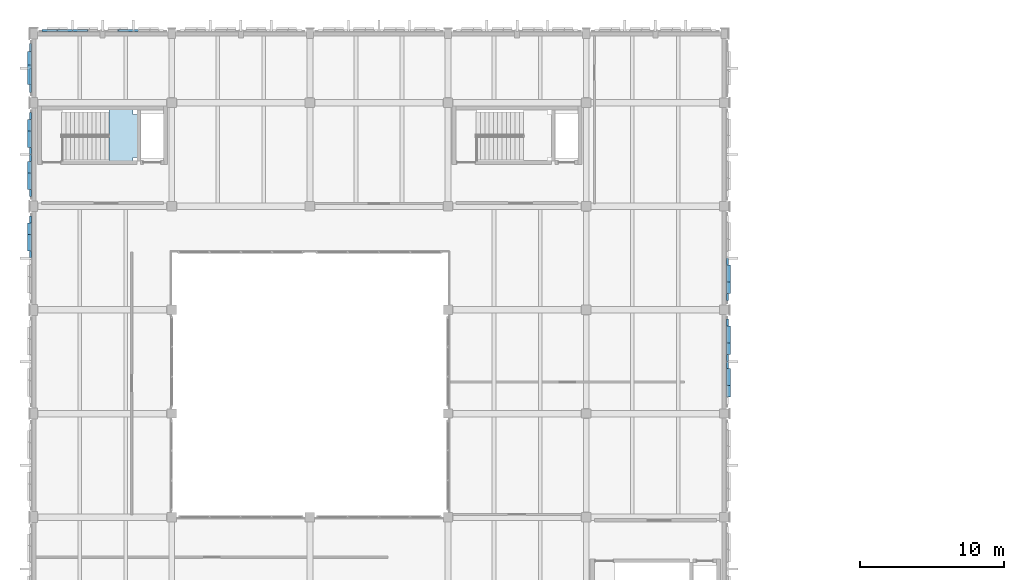
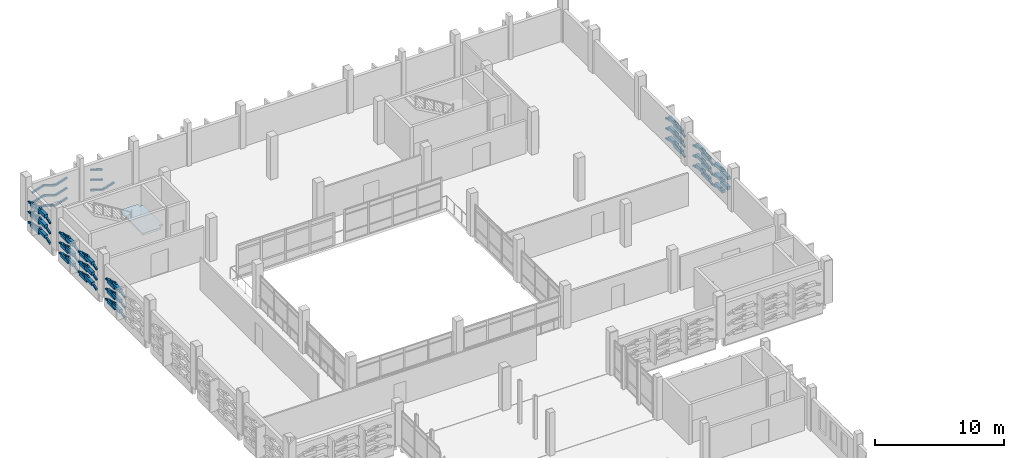
# One storey, part 42 of 72: 93 plates, 1 slab, 1 element without a shape of its own.
"""IFC4 building model written with IfcOpenShell, lengths in metres."""

from ifc_helpers import new_model, si_unit, direction, frame, origin, origin_2d, place, context, subcontext, project, spatial, polyline, rectangle, hollow_rectangle, outline, extrude, material, layer, layer_set, material_profile, profile_set, type_object, element, aggregate, save


model = new_model("IFC4")

# Units and contexts
model_context = context("Model", 3, precision=1e-05, world=origin(), true_north=direction((0.0, 1.0)))
body_context = subcontext(model_context, "Body", "Model", "MODEL_VIEW")
ifc_project = project(units=[si_unit("LENGTHUNIT", "METRE"), si_unit("AREAUNIT", "SQUARE_METRE"), si_unit("VOLUMEUNIT", "CUBIC_METRE"), si_unit("PLANEANGLEUNIT", "RADIAN"), si_unit("MASSUNIT", "GRAM", prefix="KILO")], contexts=[model_context])

# Site, building, storey
site_placement = place(None, origin())
site = spatial("IfcSite", under=ifc_project, at=site_placement, CompositionType="ELEMENT")
building_placement = place(site_placement, origin())
building = spatial("IfcBuilding", under=site, at=building_placement, Name="Asteropetra Specialist Clinic", CompositionType="ELEMENT")
storey_placement = place(building_placement, frame((0.0, 0.0, 12.580078125)))
storey = spatial("IfcBuildingStorey", under=building, at=storey_placement, Name="L03", CompositionType="ELEMENT", Elevation=12.580078125)

# Plates
ifc_material_1 = material(Name="Chevron emerald aluminium 6063-T6", Category="aluminium")
ifc_material_profile = material_profile(ifc_material_1, hollow_rectangle(XDim=0.159912109375, YDim=0.159912109375, WallThickness=0.008056640625, InnerFilletRadius=0.008056640625, OuterFilletRadius=0.01611328125, at=origin_2d()), Name="SHS 160x160x8.0")
ifc_profile_set = profile_set([ifc_material_profile], Name="Chevron emerald aluminium 6063-T6")
plate_type_1 = type_object("IfcPlateType", Name="CHV-RIB-160", PredefinedType="SHEET", material=ifc_profile_set)
plate_1_placement = place(storey_placement, frame((7.9755859375, 110.6220703125, 0.392333984375), z_axis=(-0.952000497205, 0.0, -0.306096477147), x_axis=(0.0, -1.0, 0.0)))
element("IfcPlate", 1, at=plate_1_placement, inside=storey, type_object=plate_type_1, Name="Chevron Facade Screen Fin CVR-1210", PredefinedType="SHEET", context=body_context, shape_type="SweptSolid", body=[
    extrude(hollow_rectangle(XDim=0.159912109375, YDim=0.159912109375, WallThickness=0.008056640625, InnerFilletRadius=0.008056640625, OuterFilletRadius=0.01611328125, at=origin_2d()), origin(), (0.0, 0.0, 1.0), 1.08642578125),
])
plate_2_placement = place(storey_placement, frame((6.9013671875, 110.6220703125, 0.059814453125), z_axis=(-0.952021547516, 0.0, 0.306031000169), x_axis=(0.0, -1.0, 0.0)))
element("IfcPlate", 2, at=plate_2_placement, inside=storey, type_object=plate_type_1, Name="Chevron Facade Screen Fin CVR-1215", PredefinedType="SHEET", context=body_context, shape_type="SweptSolid", body=[
    extrude(hollow_rectangle(XDim=0.159912109375, YDim=0.159912109375, WallThickness=0.008056640625, InnerFilletRadius=0.008056640625, OuterFilletRadius=0.01611328125, at=origin_2d()), origin(), (0.0, 0.0, 1.0), 1.086669921875),
])
for number, where, z_axis, x_axis, name in (
    (3, (6.9013671875, 110.6220703125, 1.02001953125), (-0.952086993927, 0.0, 0.30582733036), (0.0, -1.0, 0.0), "Chevron Facade Screen Fin CVR-1216"),
    (4, (6.9013671875, 110.6220703125, 1.97998046875), (-0.952086993927, 0.0, 0.30582733036), (0.0, -1.0, 0.0), "Chevron Facade Screen Fin CVR-1217"),
):
    element("IfcPlate", number, at=place(storey_placement, frame(where, z_axis=z_axis, x_axis=x_axis)), inside=storey, type_object=plate_type_1, Name=name, PredefinedType="SHEET", context=body_context, shape_type="SweptSolid", body=[
        extrude(hollow_rectangle(XDim=0.159912109375, YDim=0.159912109375, WallThickness=0.008056640625, InnerFilletRadius=0.008056640625, OuterFilletRadius=0.01611328125, at=origin_2d()), origin(), (0.0, 0.0, 1.0), 1.08642578125),
    ])
plate_3_placement = place(storey_placement, frame((3.758056640625, 110.6220703125, 0.392333984375), z_axis=(-0.952021547516, 0.0, -0.306031000169), x_axis=(0.0, -1.0, 0.0)))
element("IfcPlate", 5, at=plate_3_placement, inside=storey, type_object=plate_type_1, Name="Chevron Facade Screen Fin CVR-1218", PredefinedType="SHEET", context=body_context, shape_type="SweptSolid", body=[
    extrude(hollow_rectangle(XDim=0.159912109375, YDim=0.159912109375, WallThickness=0.008056640625, InnerFilletRadius=0.008056640625, OuterFilletRadius=0.01611328125, at=origin_2d()), origin(), (0.0, 0.0, 1.0), 1.086669921875),
])
for number, where, z_axis, x_axis, name in (
    (6, (3.758056640625, 110.6220703125, 1.352294921875), (-0.952086993927, 0.0, -0.30582733036), (0.0, -1.0, 0.0), "Chevron Facade Screen Fin CVR-1219"),
    (7, (3.758056640625, 110.6220703125, 2.312255859375), (-0.952086993927, 0.0, -0.30582733036), (0.0, -1.0, 0.0), "Chevron Facade Screen Fin CVR-1220"),
):
    element("IfcPlate", number, at=place(storey_placement, frame(where, z_axis=z_axis, x_axis=x_axis)), inside=storey, type_object=plate_type_1, Name=name, PredefinedType="SHEET", context=body_context, shape_type="SweptSolid", body=[
        extrude(hollow_rectangle(XDim=0.159912109375, YDim=0.159912109375, WallThickness=0.008056640625, InnerFilletRadius=0.008056640625, OuterFilletRadius=0.01611328125, at=origin_2d()), origin(), (0.0, 0.0, 1.0), 1.08642578125),
    ])
for number, where, z_axis, x_axis, name in (
    (8, (2.683837890625, 110.6220703125, 0.059814453125), (-0.952021547516, 0.0, 0.306031000169), (0.0, -1.0, 0.0), "Chevron Facade Screen Fin CVR-1221"),
    (9, (1.6494140625, 110.6220703125, 0.392333984375), (-0.952021547516, 0.0, -0.306031000169), (0.0, -1.0, 0.0), "Chevron Facade Screen Fin CVR-1222"),
):
    element("IfcPlate", number, at=place(storey_placement, frame(where, z_axis=z_axis, x_axis=x_axis)), inside=storey, type_object=plate_type_1, Name=name, PredefinedType="SHEET", context=body_context, shape_type="SweptSolid", body=[
        extrude(hollow_rectangle(XDim=0.159912109375, YDim=0.159912109375, WallThickness=0.008056640625, InnerFilletRadius=0.008056640625, OuterFilletRadius=0.01611328125, at=origin_2d()), origin(), (0.0, 0.0, 1.0), 1.086669921875),
    ])
for number, where, z_axis, x_axis, name in (
    (10, (2.683837890625, 110.6220703125, 1.02001953125), (-0.952086993927, 0.0, 0.30582733036), (0.0, -1.0, 0.0), "Chevron Facade Screen Fin CVR-1223"),
    (11, (1.6494140625, 110.6220703125, 1.352294921875), (-0.952086993927, 0.0, -0.30582733036), (0.0, -1.0, 0.0), "Chevron Facade Screen Fin CVR-1224"),
    (12, (2.683837890625, 110.6220703125, 1.97998046875), (-0.952086993927, 0.0, 0.30582733036), (0.0, -1.0, 0.0), "Chevron Facade Screen Fin CVR-1225"),
    (13, (1.6494140625, 110.6220703125, 2.312255859375), (-0.952086993927, 0.0, -0.30582733036), (0.0, -1.0, 0.0), "Chevron Facade Screen Fin CVR-1226"),
):
    element("IfcPlate", number, at=place(storey_placement, frame(where, z_axis=z_axis, x_axis=x_axis)), inside=storey, type_object=plate_type_1, Name=name, PredefinedType="SHEET", context=body_context, shape_type="SweptSolid", body=[
        extrude(hollow_rectangle(XDim=0.159912109375, YDim=0.159912109375, WallThickness=0.008056640625, InnerFilletRadius=0.008056640625, OuterFilletRadius=0.01611328125, at=origin_2d()), origin(), (0.0, 0.0, 1.0), 1.08642578125),
    ])
plate_4_placement = place(storey_placement, frame((48.221923828125, 86.12255859375, 0.52587890625), z_axis=(0.0, 0.952488962874, -0.304573103874), x_axis=(-1.0, 0.0, 0.0)))
element("IfcPlate", 14, at=plate_4_placement, inside=storey, type_object=plate_type_1, Name="Chevron Facade Screen Fin CVR-1402", PredefinedType="SHEET", context=body_context, shape_type="SweptSolid", body=[
    extrude(hollow_rectangle(XDim=0.159912109375, YDim=0.159912109375, WallThickness=0.008056640625, InnerFilletRadius=0.008056640625, OuterFilletRadius=0.01611328125, at=origin_2d()), origin(), (0.0, 0.0, 1.0), 1.5302734375),
])
for number, where, z_axis, x_axis, name in (
    (15, (48.221923828125, 86.12255859375, 1.48583984375), (0.0, 0.952535238788, -0.304428347673), (-1.0, 0.0, 0.0), "Chevron Facade Screen Fin CVR-1404"),
    (16, (48.221923828125, 86.12255859375, 2.44580078125), (0.0, 0.952535238788, -0.304428347673), (-1.0, 0.0, 0.0), "Chevron Facade Screen Fin CVR-1406"),
    (17, (48.221923828125, 87.6201171875, 0.059814453125), (0.0, 0.952474159261, 0.304619395213), (-1.0, 0.0, 0.0), "Chevron Facade Screen Fin CVR-1407"),
):
    element("IfcPlate", number, at=place(storey_placement, frame(where, z_axis=z_axis, x_axis=x_axis)), inside=storey, type_object=plate_type_1, Name=name, PredefinedType="SHEET", context=body_context, shape_type="SweptSolid", body=[
        extrude(hollow_rectangle(XDim=0.159912109375, YDim=0.159912109375, WallThickness=0.008056640625, InnerFilletRadius=0.008056640625, OuterFilletRadius=0.01611328125, at=origin_2d()), origin(), (0.0, 0.0, 1.0), 1.530029296875),
    ])
plate_5_placement = place(storey_placement, frame((48.221923828125, 89.077392578125, 0.52587890625), z_axis=(0.0, 0.952488962874, -0.304573103874), x_axis=(-1.0, 0.0, 0.0)))
element("IfcPlate", 18, at=plate_5_placement, inside=storey, type_object=plate_type_1, Name="Chevron Facade Screen Fin CVR-1408", PredefinedType="SHEET", context=body_context, shape_type="SweptSolid", body=[
    extrude(hollow_rectangle(XDim=0.159912109375, YDim=0.159912109375, WallThickness=0.008056640625, InnerFilletRadius=0.008056640625, OuterFilletRadius=0.01611328125, at=origin_2d()), origin(), (0.0, 0.0, 1.0), 1.5302734375),
])
for number, where, z_axis, x_axis, name in (
    (19, (48.221923828125, 87.6201171875, 1.02001953125), (0.0, 0.952520448524, 0.304474621509), (-1.0, 0.0, 0.0), "Chevron Facade Screen Fin CVR-1409"),
    (20, (48.221923828125, 89.077392578125, 1.48583984375), (0.0, 0.952535238788, -0.304428347673), (-1.0, 0.0, 0.0), "Chevron Facade Screen Fin CVR-1410"),
    (21, (48.221923828125, 87.6201171875, 1.97998046875), (0.0, 0.952520448524, 0.304474621509), (-1.0, 0.0, 0.0), "Chevron Facade Screen Fin CVR-1411"),
    (22, (48.221923828125, 89.077392578125, 2.44580078125), (0.0, 0.952535238788, -0.304428347673), (-1.0, 0.0, 0.0), "Chevron Facade Screen Fin CVR-1412"),
):
    element("IfcPlate", number, at=place(storey_placement, frame(where, z_axis=z_axis, x_axis=x_axis)), inside=storey, type_object=plate_type_1, Name=name, PredefinedType="SHEET", context=body_context, shape_type="SweptSolid", body=[
        extrude(hollow_rectangle(XDim=0.159912109375, YDim=0.159912109375, WallThickness=0.008056640625, InnerFilletRadius=0.008056640625, OuterFilletRadius=0.01611328125, at=origin_2d()), origin(), (0.0, 0.0, 1.0), 1.530029296875),
    ])
plate_6_placement = place(storey_placement, frame((-0.221923828125, 97.68505859375, 0.059814453125), z_axis=(0.0, -0.952507040007, 0.304516565619), x_axis=(1.0, 0.0, 0.0)))
element("IfcPlate", 23, at=plate_6_placement, inside=storey, type_object=plate_type_1, Name="Chevron Facade Screen Fin CVR-1413", PredefinedType="SHEET", context=body_context, shape_type="SweptSolid", body=[
    extrude(hollow_rectangle(XDim=0.159912109375, YDim=0.159912109375, WallThickness=0.008056640625, InnerFilletRadius=0.008056640625, OuterFilletRadius=0.01611328125, at=origin_2d()), origin(), (0.0, 0.0, 1.0), 1.504150390625),
])
plate_7_placement = place(storey_placement, frame((-0.221923828125, 96.25244140625, 0.517822265625), z_axis=(0.0, -0.952491984317, -0.304563654777), x_axis=(1.0, 0.0, 0.0)))
element("IfcPlate", 24, at=plate_7_placement, inside=storey, type_object=plate_type_1, Name="Chevron Facade Screen Fin CVR-1414", PredefinedType="SHEET", context=body_context, shape_type="SweptSolid", body=[
    extrude(hollow_rectangle(XDim=0.159912109375, YDim=0.159912109375, WallThickness=0.008056640625, InnerFilletRadius=0.008056640625, OuterFilletRadius=0.01611328125, at=origin_2d()), origin(), (0.0, 0.0, 1.0), 1.50390625),
])
plate_8_placement = place(storey_placement, frame((-0.221923828125, 97.68505859375, 1.02001953125), z_axis=(0.0, -0.952507040007, 0.304516565619), x_axis=(1.0, 0.0, 0.0)))
element("IfcPlate", 25, at=plate_8_placement, inside=storey, type_object=plate_type_1, Name="Chevron Facade Screen Fin CVR-1415", PredefinedType="SHEET", context=body_context, shape_type="SweptSolid", body=[
    extrude(hollow_rectangle(XDim=0.159912109375, YDim=0.159912109375, WallThickness=0.008056640625, InnerFilletRadius=0.008056640625, OuterFilletRadius=0.01611328125, at=origin_2d()), origin(), (0.0, 0.0, 1.0), 1.504150390625),
])
plate_9_placement = place(storey_placement, frame((-0.221923828125, 96.25244140625, 1.47802734375), z_axis=(0.0, -0.952491984317, -0.304563654777), x_axis=(1.0, 0.0, 0.0)))
element("IfcPlate", 26, at=plate_9_placement, inside=storey, type_object=plate_type_1, Name="Chevron Facade Screen Fin CVR-1416", PredefinedType="SHEET", context=body_context, shape_type="SweptSolid", body=[
    extrude(hollow_rectangle(XDim=0.159912109375, YDim=0.159912109375, WallThickness=0.008056640625, InnerFilletRadius=0.008056640625, OuterFilletRadius=0.01611328125, at=origin_2d()), origin(), (0.0, 0.0, 1.0), 1.50390625),
])
plate_10_placement = place(storey_placement, frame((-0.221923828125, 97.68505859375, 1.97998046875), z_axis=(0.0, -0.952507040007, 0.304516565619), x_axis=(1.0, 0.0, 0.0)))
element("IfcPlate", 27, at=plate_10_placement, inside=storey, type_object=plate_type_1, Name="Chevron Facade Screen Fin CVR-1417", PredefinedType="SHEET", context=body_context, shape_type="SweptSolid", body=[
    extrude(hollow_rectangle(XDim=0.159912109375, YDim=0.159912109375, WallThickness=0.008056640625, InnerFilletRadius=0.008056640625, OuterFilletRadius=0.01611328125, at=origin_2d()), origin(), (0.0, 0.0, 1.0), 1.504150390625),
])
plate_11_placement = place(storey_placement, frame((-0.221923828125, 96.25244140625, 2.43798828125), z_axis=(0.0, -0.952491984317, -0.304563654777), x_axis=(1.0, 0.0, 0.0)))
element("IfcPlate", 28, at=plate_11_placement, inside=storey, type_object=plate_type_1, Name="Chevron Facade Screen Fin CVR-1418", PredefinedType="SHEET", context=body_context, shape_type="SweptSolid", body=[
    extrude(hollow_rectangle(XDim=0.159912109375, YDim=0.159912109375, WallThickness=0.008056640625, InnerFilletRadius=0.008056640625, OuterFilletRadius=0.01611328125, at=origin_2d()), origin(), (0.0, 0.0, 1.0), 1.50390625),
])
for number, where, z_axis, x_axis, name in (
    (29, (48.221923828125, 91.864990234375, 0.059814453125), (0.0, 0.952488962874, 0.304573103874), (-1.0, 0.0, 0.0), "Chevron Facade Screen Fin CVR-1425"),
    (30, (48.221923828125, 93.322509765625, 0.52587890625), (0.0, 0.952488962874, -0.304573103874), (-1.0, 0.0, 0.0), "Chevron Facade Screen Fin CVR-1426"),
):
    element("IfcPlate", number, at=place(storey_placement, frame(where, z_axis=z_axis, x_axis=x_axis)), inside=storey, type_object=plate_type_1, Name=name, PredefinedType="SHEET", context=body_context, shape_type="SweptSolid", body=[
        extrude(hollow_rectangle(XDim=0.159912109375, YDim=0.159912109375, WallThickness=0.008056640625, InnerFilletRadius=0.008056640625, OuterFilletRadius=0.01611328125, at=origin_2d()), origin(), (0.0, 0.0, 1.0), 1.5302734375),
    ])
for number, where, z_axis, x_axis, name in (
    (31, (48.221923828125, 91.864990234375, 1.02001953125), (0.0, 0.952535238788, 0.304428347673), (-1.0, 0.0, 0.0), "Chevron Facade Screen Fin CVR-1427"),
    (32, (48.221923828125, 93.322509765625, 1.48583984375), (0.0, 0.952535238788, -0.304428347673), (-1.0, 0.0, 0.0), "Chevron Facade Screen Fin CVR-1428"),
    (33, (48.221923828125, 91.864990234375, 1.97998046875), (0.0, 0.952535238788, 0.304428347673), (-1.0, 0.0, 0.0), "Chevron Facade Screen Fin CVR-1429"),
    (34, (48.221923828125, 93.322509765625, 2.44580078125), (0.0, 0.952535238788, -0.304428347673), (-1.0, 0.0, 0.0), "Chevron Facade Screen Fin CVR-1430"),
):
    element("IfcPlate", number, at=place(storey_placement, frame(where, z_axis=z_axis, x_axis=x_axis)), inside=storey, type_object=plate_type_1, Name=name, PredefinedType="SHEET", context=body_context, shape_type="SweptSolid", body=[
        extrude(hollow_rectangle(XDim=0.159912109375, YDim=0.159912109375, WallThickness=0.008056640625, InnerFilletRadius=0.008056640625, OuterFilletRadius=0.01611328125, at=origin_2d()), origin(), (0.0, 0.0, 1.0), 1.530029296875),
    ])
plate_12_placement = place(storey_placement, frame((-0.221923828125, 104.885009765625, 0.059814453125), z_axis=(0.0, -0.952507040007, 0.304516565619), x_axis=(1.0, 0.0, 0.0)))
element("IfcPlate", 35, at=plate_12_placement, inside=storey, type_object=plate_type_1, Name="Chevron Facade Screen Fin CVR-1437", PredefinedType="SHEET", context=body_context, shape_type="SweptSolid", body=[
    extrude(hollow_rectangle(XDim=0.159912109375, YDim=0.159912109375, WallThickness=0.008056640625, InnerFilletRadius=0.008056640625, OuterFilletRadius=0.01611328125, at=origin_2d()), origin(), (0.0, 0.0, 1.0), 1.504150390625),
])
plate_13_placement = place(storey_placement, frame((-0.221923828125, 103.452392578125, 0.517822265625), z_axis=(0.0, -0.952491984317, -0.304563654777), x_axis=(1.0, 0.0, 0.0)))
element("IfcPlate", 36, at=plate_13_placement, inside=storey, type_object=plate_type_1, Name="Chevron Facade Screen Fin CVR-1438", PredefinedType="SHEET", context=body_context, shape_type="SweptSolid", body=[
    extrude(hollow_rectangle(XDim=0.159912109375, YDim=0.159912109375, WallThickness=0.008056640625, InnerFilletRadius=0.008056640625, OuterFilletRadius=0.01611328125, at=origin_2d()), origin(), (0.0, 0.0, 1.0), 1.50390625),
])
plate_14_placement = place(storey_placement, frame((-0.221923828125, 104.885009765625, 1.02001953125), z_axis=(0.0, -0.952507040007, 0.304516565619), x_axis=(1.0, 0.0, 0.0)))
element("IfcPlate", 37, at=plate_14_placement, inside=storey, type_object=plate_type_1, Name="Chevron Facade Screen Fin CVR-1439", PredefinedType="SHEET", context=body_context, shape_type="SweptSolid", body=[
    extrude(hollow_rectangle(XDim=0.159912109375, YDim=0.159912109375, WallThickness=0.008056640625, InnerFilletRadius=0.008056640625, OuterFilletRadius=0.01611328125, at=origin_2d()), origin(), (0.0, 0.0, 1.0), 1.504150390625),
])
plate_15_placement = place(storey_placement, frame((-0.221923828125, 103.452392578125, 1.47802734375), z_axis=(0.0, -0.952491984317, -0.304563654777), x_axis=(1.0, 0.0, 0.0)))
element("IfcPlate", 38, at=plate_15_placement, inside=storey, type_object=plate_type_1, Name="Chevron Facade Screen Fin CVR-1440", PredefinedType="SHEET", context=body_context, shape_type="SweptSolid", body=[
    extrude(hollow_rectangle(XDim=0.159912109375, YDim=0.159912109375, WallThickness=0.008056640625, InnerFilletRadius=0.008056640625, OuterFilletRadius=0.01611328125, at=origin_2d()), origin(), (0.0, 0.0, 1.0), 1.50390625),
])
plate_16_placement = place(storey_placement, frame((-0.221923828125, 104.885009765625, 1.97998046875), z_axis=(0.0, -0.952507040007, 0.304516565619), x_axis=(1.0, 0.0, 0.0)))
element("IfcPlate", 39, at=plate_16_placement, inside=storey, type_object=plate_type_1, Name="Chevron Facade Screen Fin CVR-1441", PredefinedType="SHEET", context=body_context, shape_type="SweptSolid", body=[
    extrude(hollow_rectangle(XDim=0.159912109375, YDim=0.159912109375, WallThickness=0.008056640625, InnerFilletRadius=0.008056640625, OuterFilletRadius=0.01611328125, at=origin_2d()), origin(), (0.0, 0.0, 1.0), 1.504150390625),
])
for number, where, z_axis, x_axis, name in (
    (40, (-0.221923828125, 103.452392578125, 2.43798828125), (0.0, -0.952491984317, -0.304563654777), (1.0, 0.0, 0.0), "Chevron Facade Screen Fin CVR-1442"),
    (41, (-0.221923828125, 101.97998046875, 0.059814453125), (0.0, -0.952491984317, 0.304563654777), (1.0, 0.0, 0.0), "Chevron Facade Screen Fin CVR-1443"),
):
    element("IfcPlate", number, at=place(storey_placement, frame(where, z_axis=z_axis, x_axis=x_axis)), inside=storey, type_object=plate_type_1, Name=name, PredefinedType="SHEET", context=body_context, shape_type="SweptSolid", body=[
        extrude(hollow_rectangle(XDim=0.159912109375, YDim=0.159912109375, WallThickness=0.008056640625, InnerFilletRadius=0.008056640625, OuterFilletRadius=0.01611328125, at=origin_2d()), origin(), (0.0, 0.0, 1.0), 1.50390625),
    ])
plate_17_placement = place(storey_placement, frame((-0.221923828125, 100.547607421875, 0.517822265625), z_axis=(0.0, -0.952507040007, -0.304516565619), x_axis=(1.0, 0.0, 0.0)))
element("IfcPlate", 42, at=plate_17_placement, inside=storey, type_object=plate_type_1, Name="Chevron Facade Screen Fin CVR-1444", PredefinedType="SHEET", context=body_context, shape_type="SweptSolid", body=[
    extrude(hollow_rectangle(XDim=0.159912109375, YDim=0.159912109375, WallThickness=0.008056640625, InnerFilletRadius=0.008056640625, OuterFilletRadius=0.01611328125, at=origin_2d()), origin(), (0.0, 0.0, 1.0), 1.504150390625),
])
plate_18_placement = place(storey_placement, frame((-0.221923828125, 101.97998046875, 1.02001953125), z_axis=(0.0, -0.952491984317, 0.304563654777), x_axis=(1.0, 0.0, 0.0)))
element("IfcPlate", 43, at=plate_18_placement, inside=storey, type_object=plate_type_1, Name="Chevron Facade Screen Fin CVR-1445", PredefinedType="SHEET", context=body_context, shape_type="SweptSolid", body=[
    extrude(hollow_rectangle(XDim=0.159912109375, YDim=0.159912109375, WallThickness=0.008056640625, InnerFilletRadius=0.008056640625, OuterFilletRadius=0.01611328125, at=origin_2d()), origin(), (0.0, 0.0, 1.0), 1.50390625),
])
plate_19_placement = place(storey_placement, frame((-0.221923828125, 100.547607421875, 1.47802734375), z_axis=(0.0, -0.952507040007, -0.304516565619), x_axis=(1.0, 0.0, 0.0)))
element("IfcPlate", 44, at=plate_19_placement, inside=storey, type_object=plate_type_1, Name="Chevron Facade Screen Fin CVR-1446", PredefinedType="SHEET", context=body_context, shape_type="SweptSolid", body=[
    extrude(hollow_rectangle(XDim=0.159912109375, YDim=0.159912109375, WallThickness=0.008056640625, InnerFilletRadius=0.008056640625, OuterFilletRadius=0.01611328125, at=origin_2d()), origin(), (0.0, 0.0, 1.0), 1.504150390625),
])
plate_20_placement = place(storey_placement, frame((-0.221923828125, 101.97998046875, 1.97998046875), z_axis=(0.0, -0.952491984317, 0.304563654777), x_axis=(1.0, 0.0, 0.0)))
element("IfcPlate", 45, at=plate_20_placement, inside=storey, type_object=plate_type_1, Name="Chevron Facade Screen Fin CVR-1447", PredefinedType="SHEET", context=body_context, shape_type="SweptSolid", body=[
    extrude(hollow_rectangle(XDim=0.159912109375, YDim=0.159912109375, WallThickness=0.008056640625, InnerFilletRadius=0.008056640625, OuterFilletRadius=0.01611328125, at=origin_2d()), origin(), (0.0, 0.0, 1.0), 1.50390625),
])
plate_21_placement = place(storey_placement, frame((-0.221923828125, 100.547607421875, 2.43798828125), z_axis=(0.0, -0.952507040007, -0.304516565619), x_axis=(1.0, 0.0, 0.0)))
element("IfcPlate", 46, at=plate_21_placement, inside=storey, type_object=plate_type_1, Name="Chevron Facade Screen Fin CVR-1448", PredefinedType="SHEET", context=body_context, shape_type="SweptSolid", body=[
    extrude(hollow_rectangle(XDim=0.159912109375, YDim=0.159912109375, WallThickness=0.008056640625, InnerFilletRadius=0.008056640625, OuterFilletRadius=0.01611328125, at=origin_2d()), origin(), (0.0, 0.0, 1.0), 1.504150390625),
])
for number, where, z_axis, x_axis, name in (
    (47, (-0.221923828125, 109.68505859375, 0.059814453125), (0.0, -0.952689829529, 0.303944219737), (1.0, 0.0, 0.0), "Chevron Facade Screen Fin CVR-1461"),
    (48, (-0.221923828125, 108.0, 0.597412109375), (0.0, -0.952689829529, -0.303944219737), (1.0, 0.0, 0.0), "Chevron Facade Screen Fin CVR-1462"),
    (49, (-0.221923828125, 109.68505859375, 1.02001953125), (0.0, -0.952689829529, 0.303944219737), (1.0, 0.0, 0.0), "Chevron Facade Screen Fin CVR-1463"),
    (50, (-0.221923828125, 108.0, 1.5576171875), (0.0, -0.952689829529, -0.303944219737), (1.0, 0.0, 0.0), "Chevron Facade Screen Fin CVR-1464"),
    (51, (-0.221923828125, 109.68505859375, 1.97998046875), (0.0, -0.952689829529, 0.303944219737), (1.0, 0.0, 0.0), "Chevron Facade Screen Fin CVR-1465"),
    (52, (-0.221923828125, 108.0, 2.517578125), (0.0, -0.952689829529, -0.303944219737), (1.0, 0.0, 0.0), "Chevron Facade Screen Fin CVR-1466"),
):
    element("IfcPlate", number, at=place(storey_placement, frame(where, z_axis=z_axis, x_axis=x_axis)), inside=storey, type_object=plate_type_1, Name=name, PredefinedType="SHEET", context=body_context, shape_type="SweptSolid", body=[
        extrude(hollow_rectangle(XDim=0.159912109375, YDim=0.159912109375, WallThickness=0.008056640625, InnerFilletRadius=0.008056640625, OuterFilletRadius=0.01611328125, at=origin_2d()), origin(), (0.0, 0.0, 1.0), 1.768798828125),
    ])
ifc_material_2 = material(Name="Aluminium 6063-T6", Category="aluminium")
ifc_layer_1 = layer(ifc_material_2, 0.139892578125)
ifc_layer_set_1 = layer_set([ifc_layer_1], Name="Aluminium 6063-T6")
plate_type_2 = type_object("IfcPlateType", Name="PLT-CHV-TILE", PredefinedType="SHEET", material=ifc_layer_set_1)
for number, where, z_axis, x_axis, name in (
    (53, (48.280029296875, 86.530517578125, 0.2265625), (0.0, 0.0, 1.0), (1.0, 0.0, 0.0), "Chevron Ceramic Panel CPT-1096"),
    (54, (48.280029296875, 85.71435546875, 1.009765625), (0.0, 0.0, 1.0), (1.0, 0.0, 0.0), "Chevron Ceramic Panel CPT-1097"),
    (55, (48.280029296875, 86.530517578125, 1.1865234375), (0.0, 0.0, 1.0), (1.0, 0.0, 0.0), "Chevron Ceramic Panel CPT-1098"),
    (56, (48.280029296875, 85.71435546875, 1.9697265625), (0.0, 0.0, 1.0), (1.0, 0.0, 0.0), "Chevron Ceramic Panel CPT-1099"),
    (57, (48.280029296875, 86.530517578125, 2.146484375), (0.0, 0.0, 1.0), (1.0, 0.0, 0.0), "Chevron Ceramic Panel CPT-1100"),
    (58, (48.280029296875, 88.66943359375, 0.0498046875), (0.0, 0.0, 1.0), (1.0, 0.0, 0.0), "Chevron Ceramic Panel CPT-1101"),
    (59, (48.280029296875, 89.485595703125, 0.2265625), (0.0, 0.0, 1.0), (1.0, 0.0, 0.0), "Chevron Ceramic Panel CPT-1102"),
    (60, (48.280029296875, 88.66943359375, 1.009765625), (0.0, 0.0, 1.0), (1.0, 0.0, 0.0), "Chevron Ceramic Panel CPT-1103"),
    (61, (48.280029296875, 89.485595703125, 1.1865234375), (0.0, 0.0, 1.0), (1.0, 0.0, 0.0), "Chevron Ceramic Panel CPT-1104"),
    (62, (48.280029296875, 88.66943359375, 1.9697265625), (0.0, 0.0, 1.0), (1.0, 0.0, 0.0), "Chevron Ceramic Panel CPT-1105"),
    (63, (48.280029296875, 89.485595703125, 2.146484375), (0.0, 0.0, 1.0), (1.0, 0.0, 0.0), "Chevron Ceramic Panel CPT-1106"),
):
    element("IfcPlate", number, at=place(storey_placement, frame(where, z_axis=z_axis, x_axis=x_axis)), inside=storey, type_object=plate_type_2, Name=name, PredefinedType="SHEET", context=body_context, shape_type="SweptSolid", body=[
        extrude(rectangle(XDim=0.280029296875, YDim=1.166015625, at=origin_2d()), origin(), (0.0, 0.0, 1.0), 0.300048828125),
    ])
for number, where, z_axis, x_axis, name in (
    (64, (-0.280029296875, 96.653564453125, 0.04736328125), (0.0, 0.0, 1.0), (1.0, 0.0, 0.0), "Chevron Ceramic Panel CPT-1107"),
    (65, (-0.280029296875, 95.851318359375, 0.22119140625), (0.0, 0.0, 1.0), (1.0, 0.0, 0.0), "Chevron Ceramic Panel CPT-1108"),
    (66, (-0.280029296875, 96.653564453125, 1.00732421875), (0.0, 0.0, 1.0), (1.0, 0.0, 0.0), "Chevron Ceramic Panel CPT-1109"),
    (67, (-0.280029296875, 95.851318359375, 1.18115234375), (0.0, 0.0, 1.0), (1.0, 0.0, 0.0), "Chevron Ceramic Panel CPT-1110"),
    (68, (-0.280029296875, 96.653564453125, 1.96728515625), (0.0, 0.0, 1.0), (1.0, 0.0, 0.0), "Chevron Ceramic Panel CPT-1111"),
    (69, (-0.280029296875, 95.851318359375, 2.14111328125), (0.0, 0.0, 1.0), (1.0, 0.0, 0.0), "Chevron Ceramic Panel CPT-1112"),
):
    element("IfcPlate", number, at=place(storey_placement, frame(where, z_axis=z_axis, x_axis=x_axis)), inside=storey, type_object=plate_type_2, Name=name, PredefinedType="SHEET", context=body_context, shape_type="SweptSolid", body=[
        extrude(rectangle(XDim=0.280029296875, YDim=1.14599609375, at=origin_2d()), origin(), (0.0, 0.0, 1.0), 0.300048828125),
    ])
for number, where, z_axis, x_axis, name in (
    (70, (48.280029296875, 92.914306640625, 0.0498046875), (0.0, 0.0, 1.0), (1.0, 0.0, 0.0), "Chevron Ceramic Panel CPT-1119"),
    (71, (48.280029296875, 93.730712890625, 0.2265625), (0.0, 0.0, 1.0), (1.0, 0.0, 0.0), "Chevron Ceramic Panel CPT-1120"),
    (72, (48.280029296875, 92.914306640625, 1.009765625), (0.0, 0.0, 1.0), (1.0, 0.0, 0.0), "Chevron Ceramic Panel CPT-1121"),
    (73, (48.280029296875, 93.730712890625, 1.1865234375), (0.0, 0.0, 1.0), (1.0, 0.0, 0.0), "Chevron Ceramic Panel CPT-1122"),
    (74, (48.280029296875, 92.914306640625, 1.9697265625), (0.0, 0.0, 1.0), (1.0, 0.0, 0.0), "Chevron Ceramic Panel CPT-1123"),
    (75, (48.280029296875, 93.730712890625, 2.146484375), (0.0, 0.0, 1.0), (1.0, 0.0, 0.0), "Chevron Ceramic Panel CPT-1124"),
):
    element("IfcPlate", number, at=place(storey_placement, frame(where, z_axis=z_axis, x_axis=x_axis)), inside=storey, type_object=plate_type_2, Name=name, PredefinedType="SHEET", context=body_context, shape_type="SweptSolid", body=[
        extrude(rectangle(XDim=0.280029296875, YDim=1.166015625, at=origin_2d()), origin(), (0.0, 0.0, 1.0), 0.300048828125),
    ])
for number, where, z_axis, x_axis, name in (
    (76, (-0.280029296875, 103.853515625, 0.04736328125), (0.0, 0.0, 1.0), (1.0, 0.0, 0.0), "Chevron Ceramic Panel CPT-1131"),
    (77, (-0.280029296875, 103.051513671875, 0.22119140625), (0.0, 0.0, 1.0), (1.0, 0.0, 0.0), "Chevron Ceramic Panel CPT-1132"),
    (78, (-0.280029296875, 103.853515625, 1.00732421875), (0.0, 0.0, 1.0), (1.0, 0.0, 0.0), "Chevron Ceramic Panel CPT-1133"),
    (79, (-0.280029296875, 103.051513671875, 1.18115234375), (0.0, 0.0, 1.0), (1.0, 0.0, 0.0), "Chevron Ceramic Panel CPT-1134"),
    (80, (-0.280029296875, 103.853515625, 1.96728515625), (0.0, 0.0, 1.0), (1.0, 0.0, 0.0), "Chevron Ceramic Panel CPT-1135"),
    (81, (-0.280029296875, 103.051513671875, 2.14111328125), (0.0, 0.0, 1.0), (1.0, 0.0, 0.0), "Chevron Ceramic Panel CPT-1136"),
    (82, (-0.280029296875, 100.948486328125, 0.04736328125), (0.0, 0.0, 1.0), (1.0, 0.0, 0.0), "Chevron Ceramic Panel CPT-1137"),
    (83, (-0.280029296875, 100.146484375, 0.22119140625), (0.0, 0.0, 1.0), (1.0, 0.0, 0.0), "Chevron Ceramic Panel CPT-1138"),
    (84, (-0.280029296875, 100.948486328125, 1.00732421875), (0.0, 0.0, 1.0), (1.0, 0.0, 0.0), "Chevron Ceramic Panel CPT-1139"),
    (85, (-0.280029296875, 100.146484375, 1.18115234375), (0.0, 0.0, 1.0), (1.0, 0.0, 0.0), "Chevron Ceramic Panel CPT-1140"),
    (86, (-0.280029296875, 100.948486328125, 1.96728515625), (0.0, 0.0, 1.0), (1.0, 0.0, 0.0), "Chevron Ceramic Panel CPT-1141"),
    (87, (-0.280029296875, 100.146484375, 2.14111328125), (0.0, 0.0, 1.0), (1.0, 0.0, 0.0), "Chevron Ceramic Panel CPT-1142"),
):
    element("IfcPlate", number, at=place(storey_placement, frame(where, z_axis=z_axis, x_axis=x_axis)), inside=storey, type_object=plate_type_2, Name=name, PredefinedType="SHEET", context=body_context, shape_type="SweptSolid", body=[
        extrude(rectangle(XDim=0.280029296875, YDim=1.14599609375, at=origin_2d()), origin(), (0.0, 0.0, 1.0), 0.300048828125),
    ])
for number, where, z_axis, x_axis, name in (
    (88, (-0.280029296875, 108.4716796875, 0.0712890625), (0.0, 0.0, 1.0), (1.0, 0.0, 0.0), "Chevron Ceramic Panel CPT-1155"),
    (89, (-0.280029296875, 107.5283203125, 0.275390625), (0.0, 0.0, 1.0), (1.0, 0.0, 0.0), "Chevron Ceramic Panel CPT-1156"),
    (90, (-0.280029296875, 108.4716796875, 1.03125), (0.0, 0.0, 1.0), (1.0, 0.0, 0.0), "Chevron Ceramic Panel CPT-1157"),
    (91, (-0.280029296875, 107.5283203125, 1.2353515625), (0.0, 0.0, 1.0), (1.0, 0.0, 0.0), "Chevron Ceramic Panel CPT-1158"),
    (92, (-0.280029296875, 108.4716796875, 1.9912109375), (0.0, 0.0, 1.0), (1.0, 0.0, 0.0), "Chevron Ceramic Panel CPT-1159"),
    (93, (-0.280029296875, 107.5283203125, 2.1953125), (0.0, 0.0, 1.0), (1.0, 0.0, 0.0), "Chevron Ceramic Panel CPT-1160"),
):
    element("IfcPlate", number, at=place(storey_placement, frame(where, z_axis=z_axis, x_axis=x_axis)), inside=storey, type_object=plate_type_2, Name=name, PredefinedType="SHEET", context=body_context, shape_type="SweptSolid", body=[
        extrude(rectangle(XDim=0.280029296875, YDim=1.347900390625, at=origin_2d()), origin(), (0.0, 0.0, 1.0), 0.300048828125),
    ])

# Stair, slab
ifc_material_3 = material(Name="Concrete C35/45", Category="concrete")
stair_type = type_object("IfcStairType", Name="STR-DOG-165", PredefinedType="TWO_STRAIGHT_RUN_STAIR", material=ifc_material_3)
stair_placement = place(storey_placement, origin())
stair = element("IfcStair", 94, at=stair_placement, inside=storey, type_object=stair_type, Name="Type I Stair ST01-L03", PredefinedType="TWO_STRAIGHT_RUN_STAIR")
ifc_material_4 = material(Name="Concrete C35/45", Category="concrete")
ifc_layer_2 = layer(ifc_material_4, 0.199951171875)
ifc_layer_set_2 = layer_set([ifc_layer_2], Name="Concrete C35/45")
slab_type = type_object("IfcSlabType", Name="SLB-LND-200", PredefinedType="LANDING", material=ifc_layer_set_2)
slab_placement = place(storey_placement, frame((0.0, 0.0, 1.83984375)))
slab = element("IfcSlab", 95, at=slab_placement, type_object=slab_type, Name="ST01-L03 landing 1", PredefinedType="LANDING", context=body_context, shape_type="SweptSolid", body=[
    extrude(outline(polyline([(5.25, 101.469970703125), (6.89990234375, 101.469970703125), (6.89990234375, 101.7900390625), (7.219970703125, 101.7900390625), (7.219970703125, 104.7900390625), (6.89990234375, 104.7900390625), (6.89990234375, 105.110107421875), (5.25, 105.110107421875), (5.25, 101.469970703125)])), origin(), (0.0, 0.0, 1.0), 0.2001953125),
])
aggregate(stair, [slab])

save(model, "model.ifc")
